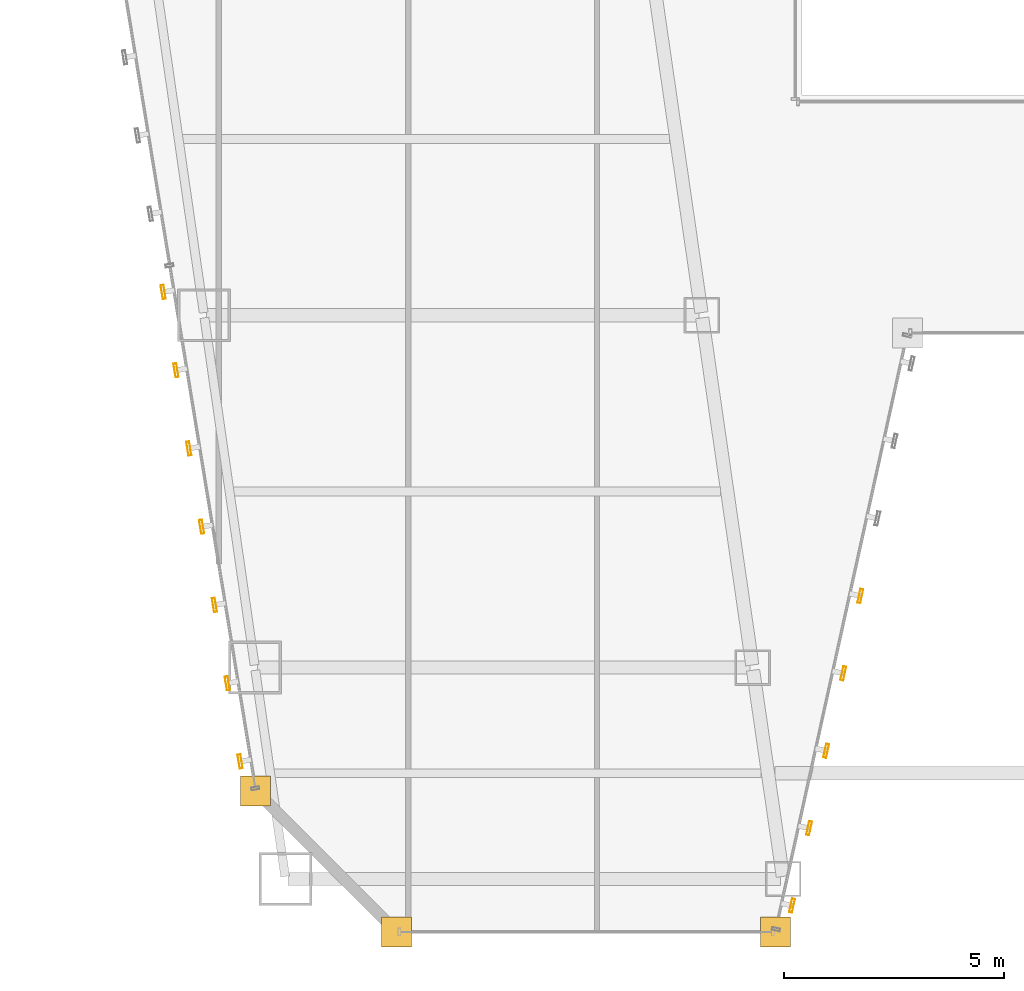
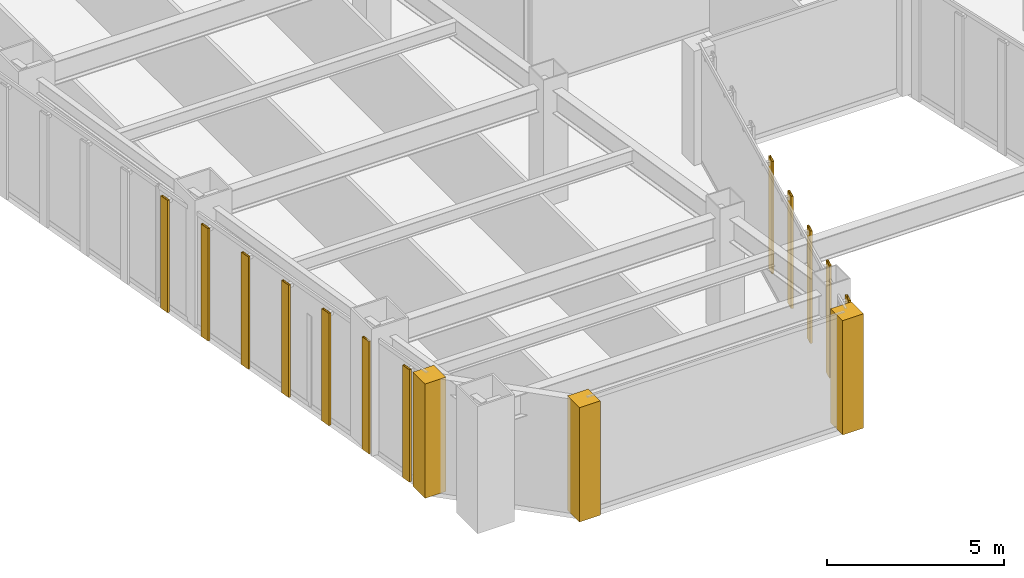
# One storey, part 41 of 47: 12 shading devices, 3 coverings.
"""IFC4 building model written with IfcOpenShell, lengths in metres."""

from ifc_helpers import new_model, si_unit, direction, frame, origin, origin_2d, place, context, subcontext, project, spatial, polyline, hollow_rectangle, outline, extrude, material, layer, layer_set, material_profile, profile_set, type_object, element, save


model = new_model("IFC4")

# Units and contexts
model_context = context("Model", 3, precision=1e-05, world=origin(), true_north=direction((0.0, 1.0)))
body_context = subcontext(model_context, "Body", "Model", "MODEL_VIEW")
ifc_project = project(units=[si_unit("LENGTHUNIT", "METRE"), si_unit("AREAUNIT", "SQUARE_METRE"), si_unit("VOLUMEUNIT", "CUBIC_METRE"), si_unit("PLANEANGLEUNIT", "RADIAN"), si_unit("MASSUNIT", "GRAM", prefix="KILO")], contexts=[model_context])

# Site, building, storey
site_placement = place(None, origin())
site = spatial("IfcSite", under=ifc_project, at=site_placement, CompositionType="ELEMENT")
building_placement = place(site_placement, origin())
building = spatial("IfcBuilding", under=site, at=building_placement, Name="Saevonmaru Cultural Tower", CompositionType="ELEMENT")
storey_placement = place(building_placement, frame((0.0, 0.0, 82.39990234375)))
storey = spatial("IfcBuildingStorey", under=building, at=storey_placement, Name="L17", CompositionType="ELEMENT", Elevation=82.39990234375)

# Coverings
ifc_material = material(Name="Satin Bronze Anodised Aluminium", Category="aluminium")
ifc_layer = layer(ifc_material, 0.679931640625, Name="Satin Bronze Anodised Aluminium")
ifc_layer_set = layer_set([ifc_layer], Name="Satin Bronze Anodised Aluminium")
covering_type = type_object("IfcCoveringType", Name="CV-CORNER-CLAD", PredefinedType="CLADDING", material=ifc_layer_set)
covering_1_placement = place(storey_placement, origin())
element("IfcCovering", 1, at=covering_1_placement, inside=storey, type_object=covering_type, Name="L17 Tower Bronze Corner Cladding Pier 1", PredefinedType="CLADDING", context=body_context, shape_type="SweptSolid", body=[
    extrude(outline(polyline([(11.4599609375, 4.860107421875), (12.139892578125, 4.860107421875), (12.139892578125, 5.5400390625), (11.4599609375, 5.5400390625), (11.4599609375, 4.860107421875)])), origin(), (0.0, 0.0, 1.0), 3.9501953125),
])
covering_2_placement = place(storey_placement, origin())
element("IfcCovering", 2, at=covering_2_placement, inside=storey, type_object=covering_type, Name="L17 Tower Bronze Corner Cladding Pier 2", PredefinedType="CLADDING", context=body_context, shape_type="SweptSolid", body=[
    extrude(outline(polyline([(14.659912109375, 1.659912109375), (15.340087890625, 1.659912109375), (15.340087890625, 2.340087890625), (14.659912109375, 2.340087890625), (14.659912109375, 1.659912109375)])), origin(), (0.0, 0.0, 1.0), 3.9501953125),
])
covering_3_placement = place(storey_placement, origin())
element("IfcCovering", 3, at=covering_3_placement, inside=storey, type_object=covering_type, Name="L17 Tower Bronze Corner Cladding Pier 3", PredefinedType="CLADDING", context=body_context, shape_type="SweptSolid", body=[
    extrude(outline(polyline([(23.260009765625, 1.659912109375), (23.93994140625, 1.659912109375), (23.93994140625, 2.340087890625), (23.260009765625, 2.340087890625), (23.260009765625, 1.659912109375)])), origin(), (0.0, 0.0, 1.0), 3.9501953125),
])

# Shading devices
ifc_material_profile = material_profile(ifc_material, hollow_rectangle(XDim=0.070068359375, YDim=0.320068359375, WallThickness=0.0048828125, at=origin_2d()), Name="FIN-320x70")
ifc_profile_set = profile_set([ifc_material_profile], Name="Satin Bronze Anodised Aluminium")
shading_device_type = type_object("IfcShadingDeviceType", Name="SHD-FIN-320", PredefinedType="JALOUSIE", material=ifc_profile_set)
for number, where, z_axis, x_axis, name in (
    (4, (23.977294921875, 2.59619140625, 0.050048828125), (0.0, 0.0, 1.0), (0.976522126798, -0.215417120661, 0.0), "L17 Art Deco Sawtooth Bronze Fin E3-01"),
    (5, (24.364990234375, 4.35400390625, 0.050048828125), (0.0, 0.0, 1.0), (0.976522126798, -0.215417120661, 0.0), "L17 Art Deco Sawtooth Bronze Fin E3-02"),
    (6, (24.752685546875, 6.11181640625, 0.050048828125), (0.0, 0.0, 1.0), (0.976522126798, -0.215417120661, 0.0), "L17 Art Deco Sawtooth Bronze Fin E3-03"),
    (7, (25.140380859375, 7.869384765625, 0.050048828125), (0.0, 0.0, 1.0), (0.976522126798, -0.215417120661, 0.0), "L17 Art Deco Sawtooth Bronze Fin E3-04"),
    (8, (25.5283203125, 9.627197265625, 0.050048828125), (0.0, 0.0, 1.0), (0.976522126798, -0.215417120661, 0.0), "L17 Art Deco Sawtooth Bronze Fin E3-05"),
    (9, (9.70068359375, 16.527099609375, 0.050048828125), (0.0, 0.0, 1.0), (-0.986827496189, -0.161776057456, 0.0), "L17 Art Deco Sawtooth Bronze Fin E12-21"),
    (10, (9.99169921875, 14.750732421875, 0.050048828125), (0.0, 0.0, 1.0), (-0.986827496189, -0.161776057456, 0.0), "L17 Art Deco Sawtooth Bronze Fin E12-22"),
    (11, (10.28271484375, 12.974365234375, 0.050048828125), (0.0, 0.0, 1.0), (-0.986827496189, -0.161776057456, 0.0), "L17 Art Deco Sawtooth Bronze Fin E12-23"),
    (12, (10.573974609375, 11.197998046875, 0.050048828125), (0.0, 0.0, 1.0), (-0.986827496189, -0.161776057456, 0.0), "L17 Art Deco Sawtooth Bronze Fin E12-24"),
    (13, (10.864990234375, 9.421875, 0.050048828125), (0.0, 0.0, 1.0), (-0.986827496189, -0.161776057456, 0.0), "L17 Art Deco Sawtooth Bronze Fin E12-25"),
    (14, (11.156005859375, 7.6455078125, 0.050048828125), (0.0, 0.0, 1.0), (-0.986827496189, -0.161776057456, 0.0), "L17 Art Deco Sawtooth Bronze Fin E12-26"),
    (15, (11.447021484375, 5.869140625, 0.050048828125), (0.0, 0.0, 1.0), (-0.986827496189, -0.161776057456, 0.0), "L17 Art Deco Sawtooth Bronze Fin E12-27"),
):
    element("IfcShadingDevice", number, at=place(storey_placement, frame(where, z_axis=z_axis, x_axis=x_axis)), inside=storey, type_object=shading_device_type, Name=name, PredefinedType="JALOUSIE", context=body_context, shape_type="SweptSolid", body=[
        extrude(hollow_rectangle(XDim=0.070068359375, YDim=0.320068359375, WallThickness=0.0048828125, at=origin_2d()), origin(), (0.0, 0.0, 1.0), 3.880126953125),
    ])

save(model, "model.ifc")
